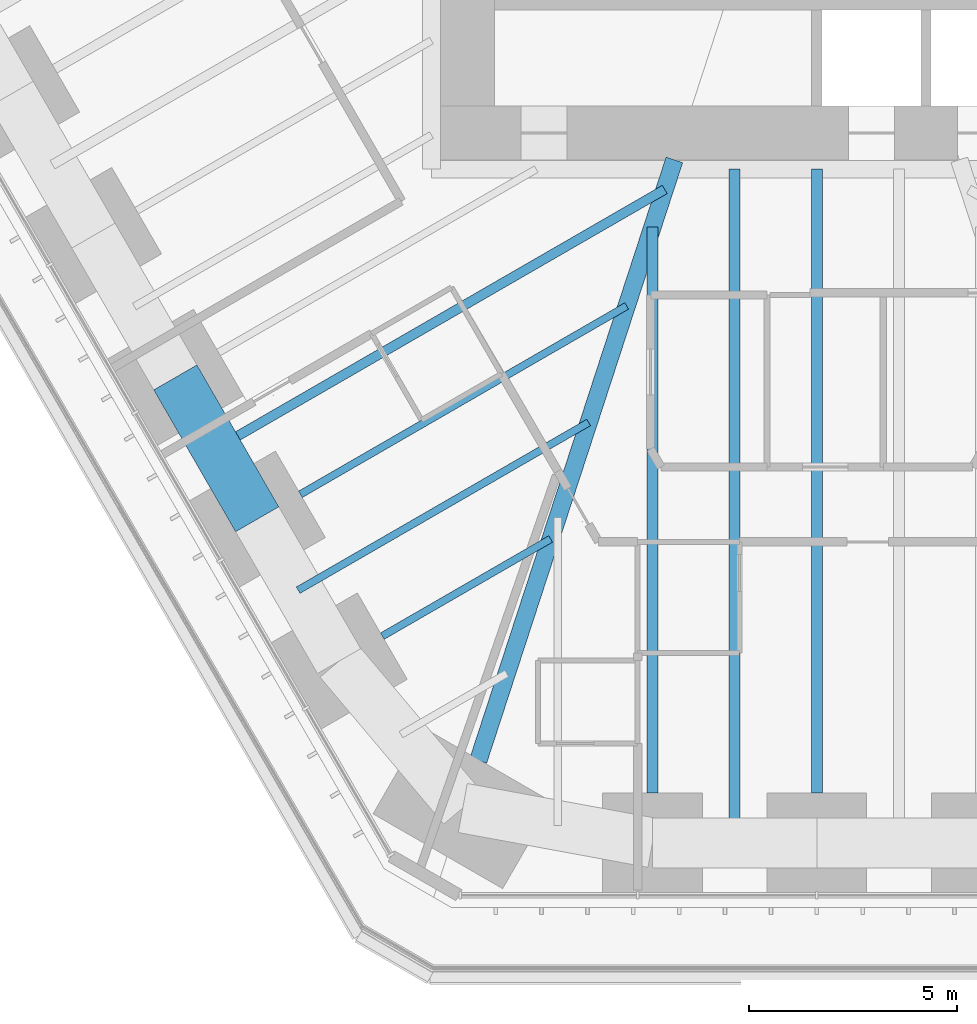
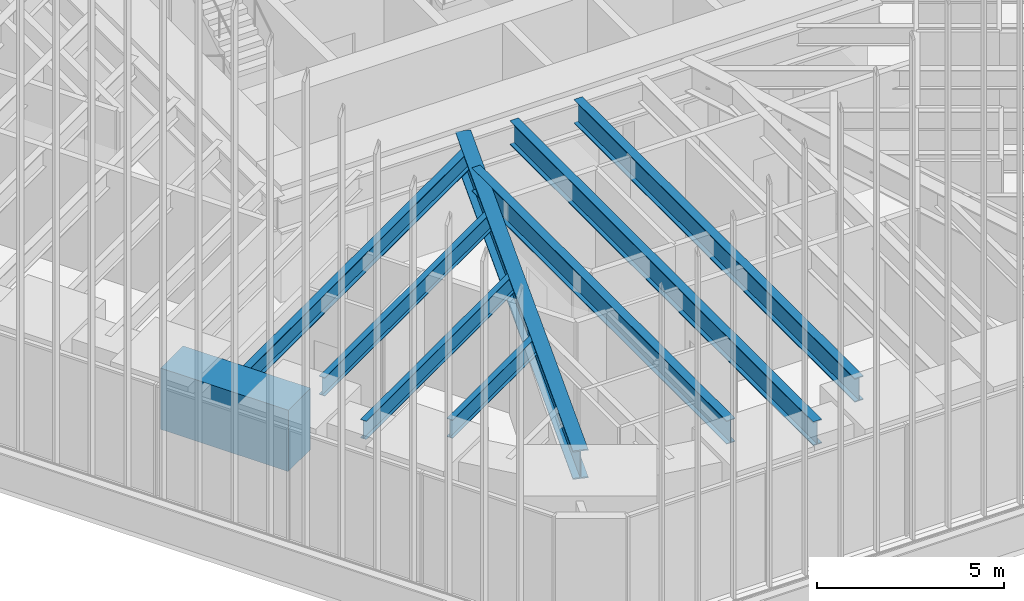
# One storey, part 32 of 238: 9 beams.
"""IFC4 building model written with IfcOpenShell, lengths in metres."""

from ifc_helpers import new_model, si_unit, direction, frame, origin, origin_2d, place, context, subcontext, project, spatial, rectangle, i_section, extrude, material, material_profile, profile_set, type_object, element, save


model = new_model("IFC4")

# Units and contexts
model_context = context("Model", 3, precision=1e-05, world=origin(), true_north=direction((0.0, 1.0)))
body_context = subcontext(model_context, "Body", "Model", "MODEL_VIEW")
ifc_project = project(units=[si_unit("LENGTHUNIT", "METRE"), si_unit("AREAUNIT", "SQUARE_METRE"), si_unit("VOLUMEUNIT", "CUBIC_METRE"), si_unit("PLANEANGLEUNIT", "RADIAN"), si_unit("MASSUNIT", "GRAM", prefix="KILO")], contexts=[model_context])

# Site, building, storey
site_placement = place(None, origin())
site = spatial("IfcSite", under=ifc_project, at=site_placement, CompositionType="ELEMENT")
building_placement = place(site_placement, origin())
building = spatial("IfcBuilding", under=site, at=building_placement, Name="Sandreach Pilgrim Tower", CompositionType="ELEMENT")
storey_placement = place(building_placement, frame((0.0, 0.0, 96.800048828125)))
storey = spatial("IfcBuildingStorey", under=building, at=storey_placement, Name="L23", CompositionType="ELEMENT", Elevation=96.800048828125)

# Beams
ifc_material_1 = material(Name="Steel ASTM A992 Grade 50", Category="steel")
ifc_material_profile_1 = material_profile(ifc_material_1, i_section(OverallWidth=0.421630859375, OverallDepth=0.937255859375, WebThickness=0.0224609375, FlangeThickness=0.039794921875, at=origin_2d()), Name="W36X282")
ifc_profile_set_1 = profile_set([ifc_material_profile_1], Name="Steel ASTM A992 Grade 50")
beam_type_1 = type_object("IfcBeamType", Name="Corner girder W36X282", PredefinedType="BEAM", material=ifc_profile_set_1)
beam_1_placement = place(storey_placement, frame((-8.1455078125, -24.95361328125, 3.17138671875), z_axis=(0.310310868465, 0.950635137638, 0.0), x_axis=(-0.950635137638, 0.310310868465, 0.0)))
element("IfcBeam", 1, at=beam_1_placement, inside=storey, type_object=beam_type_1, Name="BM L23 CG26", PredefinedType="BEAM", context=body_context, shape_type="SweptSolid", body=[
    extrude(i_section(OverallWidth=0.421630859375, OverallDepth=0.937255859375, WebThickness=0.0224609375, FlangeThickness=0.039794921875, at=origin_2d()), origin(), (0.0, 0.0, 1.0), 15.2041015625),
])
ifc_material_2 = material(Name="Steel ASTM A992 Grade 50", Category="steel")
ifc_material_profile_2 = material_profile(ifc_material_2, i_section(OverallWidth=0.1787109375, OverallDepth=0.60205078125, WebThickness=0.010986328125, FlangeThickness=0.014892578125, at=origin_2d()), Name="W24X62")
ifc_profile_set_2 = profile_set([ifc_material_profile_2], Name="Steel ASTM A992 Grade 50")
beam_type_2 = type_object("IfcBeamType", Name="Floor beam W24X62", PredefinedType="BEAM", material=ifc_profile_set_2)
beam_2_placement = place(storey_placement, frame((-10.454833984375, -21.959228515625, 3.3388671875), z_axis=(0.866017799667, 0.500013170487, 0.0), x_axis=(-0.500013170487, 0.866017799667, 0.0)))
element("IfcBeam", 2, at=beam_2_placement, inside=storey, type_object=beam_type_2, Name="BM L23 F27", PredefinedType="BEAM", context=body_context, shape_type="SweptSolid", body=[
    extrude(i_section(OverallWidth=0.1787109375, OverallDepth=0.60205078125, WebThickness=0.010986328125, FlangeThickness=0.014892578125, at=origin_2d()), origin(), (0.0, 0.0, 1.0), 4.676513671875),
])
beam_3_placement = place(storey_placement, frame((-12.4248046875, -18.547119140625, 3.3388671875), z_axis=(0.866020076177, 0.500009227573, 0.0), x_axis=(-0.500009227573, 0.866020076177, 0.0)))
element("IfcBeam", 3, at=beam_3_placement, inside=storey, type_object=beam_type_2, Name="BM L23 F28", PredefinedType="BEAM", context=body_context, shape_type="SweptSolid", body=[
    extrude(i_section(OverallWidth=0.1787109375, OverallDepth=0.60205078125, WebThickness=0.010986328125, FlangeThickness=0.014892578125, at=origin_2d()), origin(), (0.0, 0.0, 1.0), 9.064208984375),
])
beam_4_placement = place(storey_placement, frame((-12.47900390625, -20.853271484375, 3.3388671875), z_axis=(0.866017328257, 0.500013986963, 0.0), x_axis=(-0.500013986963, 0.866017328257, 0.0)))
element("IfcBeam", 4, at=beam_4_placement, inside=storey, type_object=beam_type_2, Name="BM L23 FM27", PredefinedType="BEAM", context=body_context, shape_type="SweptSolid", body=[
    extrude(i_section(OverallWidth=0.1787109375, OverallDepth=0.60205078125, WebThickness=0.010986328125, FlangeThickness=0.014892578125, at=origin_2d()), origin(), (0.0, 0.0, 1.0), 8.070556640625),
])
ifc_material_3 = material(Name="Steel ASTM A992 Grade 50", Category="steel")
ifc_material_profile_3 = material_profile(ifc_material_3, i_section(OverallWidth=0.23046875, OverallDepth=0.6171875, WebThickness=0.01318359375, FlangeThickness=0.022216796875, at=origin_2d()), Name="W24X94")
ifc_profile_set_3 = profile_set([ifc_material_profile_3], Name="Steel ASTM A992 Grade 50")
beam_type_3 = type_object("IfcBeamType", Name="Floor beam W24X94", PredefinedType="BEAM", material=ifc_profile_set_3)
beam_5_placement = place(storey_placement, frame((-14.448974609375, -17.441162109375, 3.331298828125), z_axis=(0.866019150617, 0.500010830648, 0.0), x_axis=(-0.500010830648, 0.866019150617, 0.0)))
element("IfcBeam", 5, at=beam_5_placement, inside=storey, type_object=beam_type_3, Name="BM L23 FM28", PredefinedType="BEAM", context=body_context, shape_type="SweptSolid", body=[
    extrude(i_section(OverallWidth=0.23046875, OverallDepth=0.6171875, WebThickness=0.01318359375, FlangeThickness=0.022216796875, at=origin_2d()), origin(), (0.0, 0.0, 1.0), 12.458251953125),
])
ifc_material_4 = material(Name="Steel ASTM A992 Grade 50", Category="steel")
ifc_material_profile_4 = material_profile(ifc_material_4, i_section(OverallWidth=0.2666015625, OverallDepth=0.761962890625, WebThickness=0.014404296875, FlangeThickness=0.021484375, at=origin_2d()), Name="W30X116")
ifc_profile_set_4 = profile_set([ifc_material_profile_4], Name="Steel ASTM A992 Grade 50")
beam_type_4 = type_object("IfcBeamType", Name="Floor beam W30X116", PredefinedType="BEAM", material=ifc_profile_set_4)
beam_6_placement = place(storey_placement, frame((-3.955322265625, -25.732177734375, 3.259033203125), z_axis=(0.0, 1.0, 0.0), x_axis=(-1.0, 0.0, 0.0)))
element("IfcBeam", 6, at=beam_6_placement, inside=storey, type_object=beam_type_4, Name="BM L23 F25", PredefinedType="BEAM", context=body_context, shape_type="SweptSolid", body=[
    extrude(i_section(OverallWidth=0.2666015625, OverallDepth=0.761962890625, WebThickness=0.014404296875, FlangeThickness=0.021484375, at=origin_2d()), origin(), (0.0, 0.0, 1.0), 13.615478515625),
])
ifc_material_5 = material(Name="Steel ASTM A992 Grade 50", Category="steel")
ifc_material_profile_5 = material_profile(ifc_material_5, i_section(OverallWidth=0.2666015625, OverallDepth=0.77978515625, WebThickness=0.0166015625, FlangeThickness=0.030029296875, at=origin_2d()), Name="W30X148")
ifc_profile_set_5 = profile_set([ifc_material_profile_5], Name="Steel ASTM A992 Grade 50")
beam_type_5 = type_object("IfcBeamType", Name="Floor beam W30X148", PredefinedType="BEAM", material=ifc_profile_set_5)
beam_7_placement = place(storey_placement, frame((0.0, -25.732177734375, 3.25), z_axis=(0.0, 1.0, 0.0), x_axis=(-1.0, 0.0, 0.0)))
element("IfcBeam", 7, at=beam_7_placement, inside=storey, type_object=beam_type_5, Name="BM L23 F24", PredefinedType="BEAM", context=body_context, shape_type="SweptSolid", body=[
    extrude(i_section(OverallWidth=0.2666015625, OverallDepth=0.77978515625, WebThickness=0.0166015625, FlangeThickness=0.030029296875, at=origin_2d()), origin(), (0.0, 0.0, 1.0), 15.010009765625),
])
beam_8_placement = place(storey_placement, frame((-1.9775390625, -26.93212890625, 3.25), z_axis=(0.0, 1.0, 0.0), x_axis=(-1.0, 0.0, 0.0)))
element("IfcBeam", 8, at=beam_8_placement, inside=storey, type_object=beam_type_5, Name="BM L23 FM24", PredefinedType="BEAM", context=body_context, shape_type="SweptSolid", body=[
    extrude(i_section(OverallWidth=0.2666015625, OverallDepth=0.77978515625, WebThickness=0.0166015625, FlangeThickness=0.030029296875, at=origin_2d()), origin(), (0.0, 0.0, 1.0), 16.2099609375),
])
ifc_material_6 = material(Name="Concrete 10000 psi", Category="concrete")
ifc_material_profile_6 = material_profile(ifc_material_6, rectangle(XDim=1.199951171875, YDim=2.0, at=origin_2d()), Name="RC1200X2000")
ifc_profile_set_6 = profile_set([ifc_material_profile_6], Name="Concrete 10000 psi")
beam_type_6 = type_object("IfcBeamType", Name="Spandrel beam RC1200X2000", PredefinedType="SPANDREL", material=ifc_profile_set_6)
beam_9_placement = place(storey_placement, frame((-13.464111328125, -19.147216796875, 2.639892578125), z_axis=(-0.49999779889, 0.866026674592, 0.0), x_axis=(-0.866026674592, -0.49999779889, 0.0)))
element("IfcBeam", 9, at=beam_9_placement, inside=storey, type_object=beam_type_6, Name="BM L23 SP28", PredefinedType="SPANDREL", context=body_context, shape_type="SweptSolid", body=[
    extrude(rectangle(XDim=1.199951171875, YDim=2.0, at=origin_2d()), origin(), (0.0, 0.0, 1.0), 3.93994140625),
])

save(model, "model.ifc")
